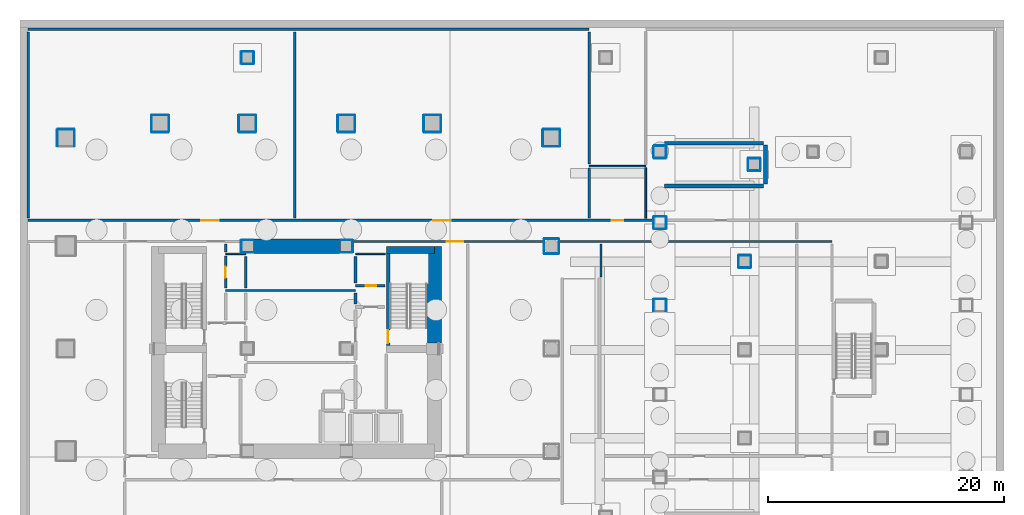
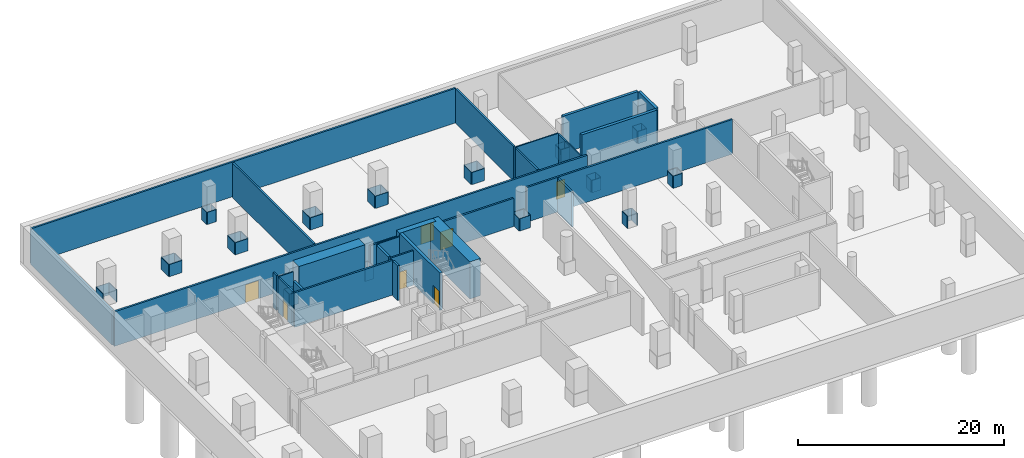
# One storey, part 7 of 13: 83 walls, 7 doors, 7 openings.
"""IFC4 building model written with IfcOpenShell, lengths in metres."""

from ifc_helpers import new_model, si_unit, direction, frame, frame_2d, origin, place, context, subcontext, project, spatial, rectangle, extrude, material, layer, layer_set, type_object, element, fill, save


model = new_model("IFC4")

# Units and contexts
model_context = context("Model", 3, precision=1e-05, world=origin(), true_north=direction((0.0, 1.0)))
body_context = subcontext(model_context, "Body", "Model", "MODEL_VIEW")
ifc_project = project(units=[si_unit("LENGTHUNIT", "METRE"), si_unit("AREAUNIT", "SQUARE_METRE"), si_unit("VOLUMEUNIT", "CUBIC_METRE"), si_unit("PLANEANGLEUNIT", "RADIAN"), si_unit("MASSUNIT", "GRAM", prefix="KILO")], contexts=[model_context])

# Site, building, storey
site_placement = place(None, origin())
site = spatial("IfcSite", under=ifc_project, at=site_placement, CompositionType="ELEMENT")
building_placement = place(site_placement, origin())
building = spatial("IfcBuilding", under=site, at=building_placement, Name="Solanera Arch Residences", CompositionType="ELEMENT")
storey_placement = place(building_placement, frame((0.0, 0.0, -13.199951171875)))
storey = spatial("IfcBuildingStorey", under=building, at=storey_placement, Name="B03", CompositionType="ELEMENT", Elevation=-13.199951171875)

# Walls
ifc_material_1 = material(Name="Fire-Rated Gypsum Stud Partition", Category="gypsum")
ifc_layer_1 = layer(ifc_material_1, 0.06005859375)
ifc_layer_set_1 = layer_set([ifc_layer_1], Name="Fire-Rated Gypsum Stud Partition")
wall_type_1 = type_object("IfcWallType", Name="Column Acoustic Furring Wall 60", PredefinedType="PARTITIONING", material=ifc_layer_set_1)
for number, where, z_axis, x_axis, name in (
    (1, (20.300048828125, 38.867919921875, 0.0), (0.0, 0.0, 1.0), (1.0, 0.0, 0.0), "B03 Column Furring 3S"),
    (2, (20.300048828125, 39.931884765625, 0.0), (0.0, 0.0, 1.0), (1.0, 0.0, 0.0), "B03 Column Furring 3N"),
):
    element("IfcWall", number, at=place(storey_placement, frame(where, z_axis=z_axis, x_axis=x_axis)), inside=storey, type_object=wall_type_1, Name=name, PredefinedType="PARTITIONING", context=body_context, shape_type="SweptSolid", body=[
        extrude(rectangle(XDim=0.989990234375, YDim=0.06005859375, at=frame_2d((0.4951171875, 0.0))), origin(), (0.0, 0.0, 1.0), 1.449951171875),
    ])
wall_1_placement = place(storey_placement, frame((20.26806640625, 38.89990234375, 0.0), z_axis=(0.0, 0.0, 1.0), x_axis=(0.0, 1.0, 0.0)))
element("IfcWall", 3, at=wall_1_placement, inside=storey, type_object=wall_type_1, Name="B03 Column Furring 3W", PredefinedType="PARTITIONING", context=body_context, shape_type="SweptSolid", body=[
    extrude(rectangle(XDim=1.0, YDim=0.06005859375, at=frame_2d((0.5, 0.0))), origin(), (0.0, 0.0, 1.0), 1.449951171875),
])
for number, where, z_axis, x_axis, name in (
    (4, (28.7099609375, 38.867919921875, 0.0), (0.0, 0.0, 1.0), (1.0, 0.0, 0.0), "B03 Column Furring 4S"),
    (5, (28.7099609375, 39.931884765625, 0.0), (0.0, 0.0, 1.0), (1.0, 0.0, 0.0), "B03 Column Furring 4N"),
):
    element("IfcWall", number, at=place(storey_placement, frame(where, z_axis=z_axis, x_axis=x_axis)), inside=storey, type_object=wall_type_1, Name=name, PredefinedType="PARTITIONING", context=body_context, shape_type="SweptSolid", body=[
        extrude(rectangle(XDim=0.989990234375, YDim=0.06005859375, at=frame_2d((0.4951171875, 0.0))), origin(), (0.0, 0.0, 1.0), 1.449951171875),
    ])
wall_2_placement = place(storey_placement, frame((29.73193359375, 38.89990234375, 0.0), z_axis=(0.0, 0.0, 1.0), x_axis=(0.0, 1.0, 0.0)))
element("IfcWall", 6, at=wall_2_placement, inside=storey, type_object=wall_type_1, Name="B03 Column Furring 4E", PredefinedType="PARTITIONING", context=body_context, shape_type="SweptSolid", body=[
    extrude(rectangle(XDim=1.0, YDim=0.06005859375, at=frame_2d((0.5, 0.0))), origin(), (0.0, 0.0, 1.0), 1.449951171875),
])
for number, where, z_axis, x_axis, name in (
    (7, (12.699951171875, 49.068115234375, 0.0), (0.0, 0.0, 1.0), (1.0, 0.0, 0.0), "B03 Column Furring 11S"),
    (8, (12.699951171875, 50.531982421875, 0.0), (0.0, 0.0, 1.0), (1.0, 0.0, 0.0), "B03 Column Furring 11N"),
):
    element("IfcWall", number, at=place(storey_placement, frame(where, z_axis=z_axis, x_axis=x_axis)), inside=storey, type_object=wall_type_1, Name=name, PredefinedType="PARTITIONING", context=body_context, shape_type="SweptSolid", body=[
        extrude(rectangle(XDim=1.400146484375, YDim=0.06005859375, at=frame_2d((0.7001953125, 0.0))), origin(), (0.0, 0.0, 1.0), 1.449951171875),
    ])
for number, where, z_axis, x_axis, name in (
    (9, (12.66796875, 49.10009765625, 0.0), (0.0, 0.0, 1.0), (0.0, 1.0, 0.0), "B03 Column Furring 11W"),
    (10, (14.132080078125, 49.10009765625, 0.0), (0.0, 0.0, 1.0), (0.0, 1.0, 0.0), "B03 Column Furring 11E"),
    (11, (20.10009765625, 49.068115234375, 0.0), (0.0, 0.0, 1.0), (1.0, 0.0, 0.0), "B03 Column Furring 12S"),
    (12, (20.10009765625, 50.531982421875, 0.0), (0.0, 0.0, 1.0), (1.0, 0.0, 0.0), "B03 Column Furring 12N"),
    (13, (20.068115234375, 49.10009765625, 0.0), (0.0, 0.0, 1.0), (0.0, 1.0, 0.0), "B03 Column Furring 12W"),
    (14, (21.531982421875, 49.10009765625, 0.0), (0.0, 0.0, 1.0), (0.0, 1.0, 0.0), "B03 Column Furring 12E"),
    (15, (28.5, 49.068115234375, 0.0), (0.0, 0.0, 1.0), (1.0, 0.0, 0.0), "B03 Column Furring 13S"),
    (16, (28.5, 50.531982421875, 0.0), (0.0, 0.0, 1.0), (1.0, 0.0, 0.0), "B03 Column Furring 13N"),
    (17, (28.468017578125, 49.10009765625, 0.0), (0.0, 0.0, 1.0), (0.0, 1.0, 0.0), "B03 Column Furring 13W"),
    (18, (29.931884765625, 49.10009765625, 0.0), (0.0, 0.0, 1.0), (0.0, 1.0, 0.0), "B03 Column Furring 13E"),
    (19, (35.800048828125, 49.068115234375, 0.0), (0.0, 0.0, 1.0), (1.0, 0.0, 0.0), "B03 Column Furring 14S"),
    (20, (35.800048828125, 50.531982421875, 0.0), (0.0, 0.0, 1.0), (1.0, 0.0, 0.0), "B03 Column Furring 14N"),
    (21, (35.76806640625, 49.10009765625, 0.0), (0.0, 0.0, 1.0), (0.0, 1.0, 0.0), "B03 Column Furring 14W"),
    (22, (37.23193359375, 49.10009765625, 0.0), (0.0, 0.0, 1.0), (0.0, 1.0, 0.0), "B03 Column Furring 14E"),
):
    element("IfcWall", number, at=place(storey_placement, frame(where, z_axis=z_axis, x_axis=x_axis)), inside=storey, type_object=wall_type_1, Name=name, PredefinedType="PARTITIONING", context=body_context, shape_type="SweptSolid", body=[
        extrude(rectangle(XDim=1.39990234375, YDim=0.06005859375, at=frame_2d((0.699951171875, 0.0))), origin(), (0.0, 0.0, 1.0), 1.449951171875),
    ])
for number, where, z_axis, x_axis, name in (
    (23, (46.0, 38.76806640625, 0.0), (0.0, 0.0, 1.0), (1.0, 0.0, 0.0), "B03 Column Furring 20S"),
    (24, (46.0, 40.031982421875, 0.0), (0.0, 0.0, 1.0), (1.0, 0.0, 0.0), "B03 Column Furring 20N"),
    (25, (45.968017578125, 38.800048828125, 0.0), (0.0, 0.0, 1.0), (0.0, 1.0, 0.0), "B03 Column Furring 20W"),
    (26, (47.23193359375, 38.800048828125, 0.0), (0.0, 0.0, 1.0), (0.0, 1.0, 0.0), "B03 Column Furring 20E"),
):
    element("IfcWall", number, at=place(storey_placement, frame(where, z_axis=z_axis, x_axis=x_axis)), inside=storey, type_object=wall_type_1, Name=name, PredefinedType="PARTITIONING", context=body_context, shape_type="SweptSolid", body=[
        extrude(rectangle(XDim=1.199951171875, YDim=0.06005859375, at=frame_2d((0.60009765625, 0.0))), origin(), (0.0, 0.0, 1.0), 1.449951171875),
    ])
for number, where, z_axis, x_axis, name in (
    (27, (4.699951171875, 49.33203125, 0.0), (0.0, 0.0, 1.0), (1.0, 0.0, 0.0), "B03 Column Furring 23N"),
    (28, (4.66796875, 47.89990234375, 0.0), (0.0, 0.0, 1.0), (0.0, 1.0, 0.0), "B03 Column Furring 23W"),
    (29, (6.132080078125, 47.89990234375, 0.0), (0.0, 0.0, 1.0), (0.0, 1.0, 0.0), "B03 Column Furring 23E"),
    (30, (45.89990234375, 47.867919921875, 0.0), (0.0, 0.0, 1.0), (1.0, 0.0, 0.0), "B03 Column Furring 24S"),
    (31, (45.89990234375, 49.33203125, 0.0), (0.0, 0.0, 1.0), (1.0, 0.0, 0.0), "B03 Column Furring 24N"),
    (32, (45.867919921875, 47.89990234375, 0.0), (0.0, 0.0, 1.0), (0.0, 1.0, 0.0), "B03 Column Furring 24W"),
    (33, (47.33203125, 47.89990234375, 0.0), (0.0, 0.0, 1.0), (0.0, 1.0, 0.0), "B03 Column Furring 24E"),
):
    element("IfcWall", number, at=place(storey_placement, frame(where, z_axis=z_axis, x_axis=x_axis)), inside=storey, type_object=wall_type_1, Name=name, PredefinedType="PARTITIONING", context=body_context, shape_type="SweptSolid", body=[
        extrude(rectangle(XDim=1.400146484375, YDim=0.06005859375, at=frame_2d((0.7001953125, 0.0))), origin(), (0.0, 0.0, 1.0), 1.449951171875),
    ])
for number, where, z_axis, x_axis, name in (
    (34, (62.5, 37.568115234375, 0.0), (0.0, 0.0, 1.0), (1.0, 0.0, 0.0), "B03 Column Furring 31S"),
    (35, (62.5, 38.632080078125, 0.0), (0.0, 0.0, 1.0), (1.0, 0.0, 0.0), "B03 Column Furring 31N"),
    (36, (62.468017578125, 37.60009765625, 0.0), (0.0, 0.0, 1.0), (0.0, 1.0, 0.0), "B03 Column Furring 31W"),
    (37, (63.531982421875, 37.60009765625, 0.0), (0.0, 0.0, 1.0), (0.0, 1.0, 0.0), "B03 Column Furring 31E"),
    (38, (20.300048828125, 54.867919921875, 0.0), (0.0, 0.0, 1.0), (1.0, 0.0, 0.0), "B03 Column Furring 38S"),
    (39, (20.300048828125, 55.931884765625, 0.0), (0.0, 0.0, 1.0), (1.0, 0.0, 0.0), "B03 Column Furring 38N"),
    (40, (20.26806640625, 54.89990234375, 0.0), (0.0, 0.0, 1.0), (0.0, 1.0, 0.0), "B03 Column Furring 38W"),
    (41, (21.33203125, 54.89990234375, 0.0), (0.0, 0.0, 1.0), (0.0, 1.0, 0.0), "B03 Column Furring 38E"),
    (42, (63.300048828125, 45.80810546875, 0.0), (0.0, 0.0, 1.0), (1.0, 0.0, 0.0), "B03 Column Furring 42S"),
    (43, (63.300048828125, 46.8720703125, 0.0), (0.0, 0.0, 1.0), (1.0, 0.0, 0.0), "B03 Column Furring 42N"),
    (44, (63.26806640625, 45.840087890625, 0.0), (0.0, 0.0, 1.0), (0.0, 1.0, 0.0), "B03 Column Furring 42W"),
    (45, (64.33203125, 45.840087890625, 0.0), (0.0, 0.0, 1.0), (0.0, 1.0, 0.0), "B03 Column Furring 42E"),
    (46, (55.300048828125, 34.931884765625, 0.0), (0.0, 0.0, 1.0), (1.0, 0.0, 0.0), "B03 Column Furring 46N"),
    (47, (55.26806640625, 33.89990234375, 0.0), (0.0, 0.0, 1.0), (0.0, 1.0, 0.0), "B03 Column Furring 46W"),
    (48, (56.33203125, 33.89990234375, 0.0), (0.0, 0.0, 1.0), (0.0, 1.0, 0.0), "B03 Column Furring 46E"),
    (49, (55.300048828125, 40.867919921875, 0.0), (0.0, 0.0, 1.0), (1.0, 0.0, 0.0), "B03 Column Furring 47S"),
    (50, (55.300048828125, 41.931884765625, 0.0), (0.0, 0.0, 1.0), (1.0, 0.0, 0.0), "B03 Column Furring 47N"),
    (51, (55.26806640625, 40.89990234375, 0.0), (0.0, 0.0, 1.0), (0.0, 1.0, 0.0), "B03 Column Furring 47W"),
    (52, (56.33203125, 40.89990234375, 0.0), (0.0, 0.0, 1.0), (0.0, 1.0, 0.0), "B03 Column Furring 47E"),
    (53, (55.300048828125, 46.867919921875, 0.0), (0.0, 0.0, 1.0), (1.0, 0.0, 0.0), "B03 Column Furring 48S"),
    (54, (55.300048828125, 47.931884765625, 0.0), (0.0, 0.0, 1.0), (1.0, 0.0, 0.0), "B03 Column Furring 48N"),
    (55, (55.26806640625, 46.89990234375, 0.0), (0.0, 0.0, 1.0), (0.0, 1.0, 0.0), "B03 Column Furring 48W"),
    (56, (56.33203125, 46.89990234375, 0.0), (0.0, 0.0, 1.0), (0.0, 1.0, 0.0), "B03 Column Furring 48E"),
):
    element("IfcWall", number, at=place(storey_placement, frame(where, z_axis=z_axis, x_axis=x_axis)), inside=storey, type_object=wall_type_1, Name=name, PredefinedType="PARTITIONING", context=body_context, shape_type="SweptSolid", body=[
        extrude(rectangle(XDim=1.0, YDim=0.06005859375, at=frame_2d((0.5, 0.0))), origin(), (0.0, 0.0, 1.0), 1.449951171875),
    ])
ifc_material_2 = material(Name="Concrete C55/67 (f'c = 60 MPa)", Category="concrete")
ifc_layer_2 = layer(ifc_material_2, 1.199951171875)
ifc_layer_set_2 = layer_set([ifc_layer_2], Name="Concrete C55/67 (f'c = 60 MPa)")
wall_type_2 = type_object("IfcWallType", Name="Core Shear Wall CW-1200", PredefinedType="SHEAR", material=ifc_layer_set_2)
wall_3_placement = place(storey_placement, frame((36.659912109375, 31.205078125, 0.0), z_axis=(0.0, 0.0, 1.0), x_axis=(0.0, 1.0, 0.0)))
element("IfcWall", 57, at=wall_3_placement, inside=storey, type_object=wall_type_2, Name="B03 East Core North Shear Wall", PredefinedType="SHEAR", context=body_context, shape_type="SweptSolid", body=[
    extrude(rectangle(XDim=8.19482421875, YDim=1.199951171875, at=frame_2d((4.097412109375, 0.0))), origin(), (0.0, 0.0, 1.0), 4.39990234375),
])
wall_4_placement = place(storey_placement, frame((21.304931640625, 39.39990234375, 0.0), z_axis=(0.0, 0.0, 1.0), x_axis=(1.0, 0.0, 0.0)))
element("IfcWall", 58, at=wall_4_placement, inside=storey, type_object=wall_type_2, Name="B03 Central North Core Shear Wall", PredefinedType="SHEAR", context=body_context, shape_type="SweptSolid", body=[
    extrude(rectangle(XDim=7.39013671875, YDim=1.199951171875, at=frame_2d((3.695068359375, 0.0))), origin(), (0.0, 0.0, 1.0), 4.39990234375),
])

# Wall, opening, door
ifc_material_3 = material(Name="Concrete C40/50 (f'c = 45 MPa)", Category="concrete")
ifc_layer_3 = layer(ifc_material_3, 0.320068359375)
ifc_layer_set_3 = layer_set([ifc_layer_3], Name="Concrete C40/50 (f'c = 45 MPa)")
wall_type_3 = type_object("IfcWallType", Name="Core Shear Wall CW-320", PredefinedType="SHEAR", material=ifc_layer_set_3)
wall_5_placement = place(storey_placement, frame((32.739990234375, 31.0, 0.0), z_axis=(0.0, 0.0, 1.0), x_axis=(0.0, 1.0, 0.0)))
wall_5 = element("IfcWall", 59, at=wall_5_placement, inside=storey, type_object=wall_type_3, Name="B03 Stair ST-T2 West Shear Wall", PredefinedType="SHEAR", context=body_context, shape_type="SweptSolid", body=[
    extrude(rectangle(XDim=7.800048828125, YDim=0.320068359375, at=frame_2d((3.89990234375, 0.0))), origin(), (0.0, 0.0, 1.0), 4.39990234375),
])
opening_1_placement = place(wall_5_placement, frame((0.18994140625, 0.0, 0.0)))
opening_1 = element("IfcOpeningElement", 60, at=opening_1_placement, cuts=wall_5, Name="Opening DF-01", PredefinedType="OPENING", context=body_context, shape_type="SweptSolid", body=[
    extrude(rectangle(XDim=1.10009765625, YDim=2.14990234375, at=frame_2d((0.550048828125, 1.074951171875))), frame((0.0, 0.169921875, 0.0), z_axis=(0.0, -1.0, 0.0), x_axis=(1.0, 0.0, 0.0)), (0.0, 0.0, 1.0), 0.3401),
])
ifc_material_4 = material(Name="Fire-Rated Architectural Hardwood", Category="wood")
door_type_1 = type_object("IfcDoorType", Name="Stair Exit Fire Door DF-01", OperationType="NOTDEFINED", PredefinedType="DOOR", material=ifc_material_4)
door_1_placement = place(opening_1_placement, origin())
door_1 = element("IfcDoor", 61, at=door_1_placement, inside=storey, type_object=door_type_1, Name="DR-B03-STAIR-ST-T2", OperationType="SINGLE_SWING_LEFT", OverallHeight=2.14990234375, OverallWidth=1.10009765625, PredefinedType="DOOR", context=body_context, shape_type="SweptSolid", body=[
    extrude(rectangle(XDim=1.10009765625, YDim=2.14990234375, at=frame_2d((0.550048828125, 1.074951171875))), frame((0.0, 0.02490234375, 0.0), z_axis=(0.0, -1.0, 0.0), x_axis=(1.0, 0.0, 0.0)), (0.0, 0.0, 1.0), 0.050048828125),
])
fill(opening_1, door_1)

# Walls
wall_6_placement = place(storey_placement, frame((64.760009765625, 44.679931640625, 0.0), z_axis=(0.0, 0.0, 1.0), x_axis=(0.0, 1.0, 0.0)))
element("IfcWall", 62, at=wall_6_placement, inside=storey, type_object=wall_type_3, Name="B03 Stair ST-H2 East Shear Wall", PredefinedType="SHEAR", context=body_context, shape_type="SweptSolid", body=[
    extrude(rectangle(XDim=3.320068359375, YDim=0.320068359375, at=frame_2d((1.66015625, 0.0))), origin(), (0.0, 0.0, 1.0), 4.39990234375),
])
wall_7_placement = place(storey_placement, frame((56.199951171875, 48.139892578125, 0.0), z_axis=(0.0, 0.0, 1.0), x_axis=(1.0, 0.0, 0.0)))
element("IfcWall", 63, at=wall_7_placement, inside=storey, type_object=wall_type_3, Name="B03 Stair ST-H2 North Shear Wall", PredefinedType="SHEAR", context=body_context, shape_type="SweptSolid", body=[
    extrude(rectangle(XDim=8.400146484375, YDim=0.280029296875, at=frame_2d((4.2001953125, 0.0))), origin(), (0.0, 0.0, 1.0), 4.39990234375),
])
wall_8_placement = place(storey_placement, frame((56.199951171875, 44.52001953125, 0.0), z_axis=(0.0, 0.0, 1.0), x_axis=(1.0, 0.0, 0.0)))
element("IfcWall", 64, at=wall_8_placement, inside=storey, type_object=wall_type_3, Name="B03 Stair ST-H2 South Shear Wall", PredefinedType="SHEAR", context=body_context, shape_type="SweptSolid", body=[
    extrude(rectangle(XDim=8.400146484375, YDim=0.320068359375, at=frame_2d((4.2001953125, 0.0))), origin(), (0.0, 0.0, 1.0), 4.39990234375),
])
ifc_material_5 = material(Name="Concrete C40/50 (f'c = 45 MPa)", Category="concrete")
ifc_layer_4 = layer(ifc_material_5, 0.60009765625)
ifc_layer_set_4 = layer_set([ifc_layer_4], Name="Concrete C40/50 (f'c = 45 MPa)")
wall_type_4 = type_object("IfcWallType", Name="Core Shear Wall CW-600", PredefinedType="SHEAR", material=ifc_layer_set_4)
wall_9_placement = place(storey_placement, frame((32.580078125, 39.10009765625, 0.0), z_axis=(0.0, 0.0, 1.0), x_axis=(1.0, 0.0, 0.0)))
element("IfcWall", 65, at=wall_9_placement, inside=storey, type_object=wall_type_4, Name="B03 North-East Core Shear Wall", PredefinedType="SHEAR", context=body_context, shape_type="SweptSolid", body=[
    extrude(rectangle(XDim=4.079833984375, YDim=0.60009765625, at=frame_2d((2.0400390625, 0.0))), origin(), (0.0, 0.0, 1.0), 4.39990234375),
])

# Wall, opening, door
ifc_material_6 = material(Name="Autoclaved Aerated Concrete Blockwork", Category="masonry")
ifc_layer_5 = layer(ifc_material_6, 0.179931640625)
ifc_layer_set_5 = layer_set([ifc_layer_5], Name="Autoclaved Aerated Concrete Blockwork")
wall_type_5 = type_object("IfcWallType", Name="Corridor Fire Partition 180", PredefinedType="PARTITIONING", material=ifc_layer_set_5)
wall_10_placement = place(storey_placement, frame((29.97509765625, 36.050048828125, 0.0), z_axis=(0.0, 0.0, 1.0), x_axis=(1.0, 0.0, 0.0)))
wall_10 = element("IfcWall", 66, at=wall_10_placement, inside=storey, type_object=wall_type_5, Name="B03 Interior Partition H17", PredefinedType="PARTITIONING", context=body_context, shape_type="SweptSolid", body=[
    extrude(rectangle(XDim=2.5048828125, YDim=0.179931640625, at=frame_2d((1.25244140625, 0.0))), origin(), (0.0, 0.0, 1.0), 4.099853515625),
])
opening_2_placement = place(wall_10_placement, frame((0.85205078125, 0.0, 0.0)))
opening_2 = element("IfcOpeningElement", 67, at=opening_2_placement, cuts=wall_10, Name="Opening DI-02", PredefinedType="OPENING", context=body_context, shape_type="SweptSolid", body=[
    extrude(rectangle(XDim=0.89990234375, YDim=2.10009765625, at=frame_2d((0.449951171875, 1.050048828125))), frame((0.0, 0.10009765625, 0.0), z_axis=(0.0, -1.0, 0.0), x_axis=(1.0, 0.0, 0.0)), (0.0, 0.0, 1.0), 0.1999),
])
ifc_material_7 = material(Name="Fire-Rated Architectural Hardwood", Category="wood")
door_type_2 = type_object("IfcDoorType", Name="Suite Room Swing Door DI-02", OperationType="NOTDEFINED", PredefinedType="DOOR", material=ifc_material_7)
door_2_placement = place(opening_2_placement, origin())
door_2 = element("IfcDoor", 68, at=door_2_placement, inside=storey, type_object=door_type_2, Name="DR-B03-IN-017", OperationType="SINGLE_SWING_RIGHT", OverallHeight=2.10009765625, OverallWidth=0.89990234375, PredefinedType="DOOR", context=body_context, shape_type="SweptSolid", body=[
    extrude(rectangle(XDim=0.89990234375, YDim=2.10009765625, at=frame_2d((0.449951171875, 1.050048828125))), frame((0.0, 0.02490234375, 0.0), z_axis=(0.0, -1.0, 0.0), x_axis=(1.0, 0.0, 0.0)), (0.0, 0.0, 1.0), 0.050048828125),
])
fill(opening_2, door_2)

# Wall
ifc_material_8 = material(Name="Autoclaved Aerated Concrete Blockwork", Category="masonry")
ifc_layer_6 = layer(ifc_material_8, 0.199951171875)
ifc_layer_set_6 = layer_set([ifc_layer_6], Name="Autoclaved Aerated Concrete Blockwork")
wall_type_6 = type_object("IfcWallType", Name="Party Wall Acoustic 200", PredefinedType="PARTITIONING", material=ifc_layer_set_6)
wall_11_placement = place(storey_placement, frame((18.949951171875, 35.64990234375, 0.0), z_axis=(0.0, 0.0, 1.0), x_axis=(1.0, 0.0, 0.0)))
element("IfcWall", 69, at=wall_11_placement, inside=storey, type_object=wall_type_6, Name="B03 Interior Partition H11", PredefinedType="PARTITIONING", context=body_context, shape_type="SweptSolid", body=[
    extrude(rectangle(XDim=11.025146484375, YDim=0.199951171875, at=frame_2d((5.5126953125, 0.0))), origin(), (0.0, 0.0, 1.0), 4.099853515625),
])

# Wall, opening, door
wall_12_placement = place(storey_placement, frame((29.81201171875, 39.800048828125, 0.0), z_axis=(0.0, 0.0, 1.0), x_axis=(1.0, 0.0, 0.0)))
wall_12 = element("IfcWall", 70, at=wall_12_placement, inside=storey, type_object=wall_type_6, Name="B03 Interior Partition H12 3", PredefinedType="PARTITIONING", context=body_context, shape_type="SweptSolid", body=[
    extrude(rectangle(XDim=16.075927734375, YDim=0.199951171875, at=frame_2d((8.0380859375, 0.0))), origin(), (0.0, 0.0, 1.0), 3.3349609375),
])
opening_3_placement = place(wall_12_placement, frame((7.887939453125, 0.0, 0.0)))
opening_3 = element("IfcOpeningElement", 71, at=opening_3_placement, cuts=wall_12, Name="Opening DF-03", PredefinedType="OPENING", context=body_context, shape_type="SweptSolid", body=[
    extrude(rectangle(XDim=1.39990234375, YDim=2.14990234375, at=frame_2d((0.699951171875, 1.074951171875))), frame((0.0, 0.110107421875, 0.0), z_axis=(0.0, -1.0, 0.0), x_axis=(1.0, 0.0, 0.0)), (0.0, 0.0, 1.0), 0.22),
])
ifc_material_9 = material(Name="Fire-Rated Architectural Hardwood", Category="wood")
door_type_3 = type_object("IfcDoorType", Name="Corridor Smoke Door DF-03", OperationType="NOTDEFINED", PredefinedType="DOOR", material=ifc_material_9)
door_3_placement = place(opening_3_placement, origin())
door_3 = element("IfcDoor", 72, at=door_3_placement, inside=storey, type_object=door_type_3, Name="DR-B03-IN-015", OperationType="SINGLE_SWING_RIGHT", OverallHeight=2.14990234375, OverallWidth=1.39990234375, PredefinedType="DOOR", context=body_context, shape_type="SweptSolid", body=[
    extrude(rectangle(XDim=1.39990234375, YDim=2.14990234375, at=frame_2d((0.699951171875, 1.074951171875))), frame((0.0, 0.02490234375, 0.0), z_axis=(0.0, -1.0, 0.0), x_axis=(1.0, 0.0, 0.0)), (0.0, 0.0, 1.0), 0.050048828125),
])
fill(opening_3, door_3)

# Wall
wall_13_placement = place(storey_placement, frame((47.31201171875, 39.800048828125, 0.0), z_axis=(0.0, 0.0, 1.0), x_axis=(1.0, 0.0, 0.0)))
element("IfcWall", 73, at=wall_13_placement, inside=storey, type_object=wall_type_6, Name="B03 Interior Partition H12 4", PredefinedType="PARTITIONING", context=body_context, shape_type="SweptSolid", body=[
    extrude(rectangle(XDim=23.087890625, YDim=0.199951171875, at=frame_2d((11.5439453125, 0.0))), origin(), (0.0, 0.0, 1.0), 4.099853515625),
])

# Wall, openings, doors
wall_14_placement = place(storey_placement, frame((2.199951171875, 41.60009765625, 0.0), z_axis=(0.0, 0.0, 1.0), x_axis=(1.0, 0.0, 0.0)))
wall_14 = element("IfcWall", 74, at=wall_14_placement, inside=storey, type_object=wall_type_6, Name="B03 Interior Partition H13 1", PredefinedType="PARTITIONING", context=body_context, shape_type="SweptSolid", body=[
    extrude(rectangle(XDim=52.988037109375, YDim=0.199951171875, at=frame_2d((26.494140625, 0.0))), origin(), (0.0, 0.0, 1.0), 4.099853515625),
])
opening_4_placement = place(wall_14_placement, frame((14.659912109375, 0.0, 0.0)))
opening_4 = element("IfcOpeningElement", 75, at=opening_4_placement, cuts=wall_14, Name="Opening DP-01", PredefinedType="OPENING", context=body_context, shape_type="SweptSolid", body=[
    extrude(rectangle(XDim=1.5, YDim=2.14990234375, at=frame_2d((0.75, 1.074951171875))), frame((0.0, 0.110107421875, 0.0), z_axis=(0.0, -1.0, 0.0), x_axis=(1.0, 0.0, 0.0)), (0.0, 0.0, 1.0), 0.22),
])
opening_5_placement = place(wall_14_placement, frame((34.35009765625, 0.0, 0.0)))
opening_5 = element("IfcOpeningElement", 76, at=opening_5_placement, cuts=wall_14, Name="Opening DP-01", PredefinedType="OPENING", context=body_context, shape_type="SweptSolid", body=[
    extrude(rectangle(XDim=1.5, YDim=2.14990234375, at=frame_2d((0.75, 1.074951171875))), frame((0.0, 0.110107421875, 0.0), z_axis=(0.0, -1.0, 0.0), x_axis=(1.0, 0.0, 0.0)), (0.0, 0.0, 1.0), 0.22),
])
opening_6_placement = place(wall_14_placement, frame((49.52490234375, 0.0, 0.0)))
opening_6 = element("IfcOpeningElement", 77, at=opening_6_placement, cuts=wall_14, Name="Opening DI-04", PredefinedType="OPENING", context=body_context, shape_type="SweptSolid", body=[
    extrude(rectangle(XDim=0.949951171875, YDim=2.10009765625, at=frame_2d((0.47509765625, 1.050048828125))), frame((0.0, 0.110107421875, 0.0), z_axis=(0.0, -1.0, 0.0), x_axis=(1.0, 0.0, 0.0)), (0.0, 0.0, 1.0), 0.22),
])
ifc_material_10 = material(Name="Fire-Rated Architectural Hardwood", Category="wood")
door_type_4 = type_object("IfcDoorType", Name="Accessible Restroom Door DI-04", OperationType="NOTDEFINED", PredefinedType="DOOR", material=ifc_material_10)
door_4_placement = place(opening_6_placement, origin())
door_4 = element("IfcDoor", 78, at=door_4_placement, inside=storey, type_object=door_type_4, Name="DR-B03-IN-025", OperationType="SINGLE_SWING_RIGHT", OverallHeight=2.10009765625, OverallWidth=0.949951171875, PredefinedType="DOOR", context=body_context, shape_type="SweptSolid", body=[
    extrude(rectangle(XDim=0.949951171875, YDim=2.10009765625, at=frame_2d((0.47509765625, 1.050048828125))), frame((0.0, 0.02490234375, 0.0), z_axis=(0.0, -1.0, 0.0), x_axis=(1.0, 0.0, 0.0)), (0.0, 0.0, 1.0), 0.050048828125),
])
fill(opening_6, door_4)
ifc_material_11 = material(Name="Fire-Rated Architectural Hardwood", Category="wood")
door_type_5 = type_object("IfcDoorType", Name="Plant Double Fire Door DP-01", OperationType="NOTDEFINED", PredefinedType="DOOR", material=ifc_material_11)
door_5_placement = place(opening_4_placement, origin())
door_5 = element("IfcDoor", 79, at=door_5_placement, inside=storey, type_object=door_type_5, Name="DR-B03-IN-020", OperationType="SINGLE_SWING_LEFT", OverallHeight=2.14990234375, OverallWidth=1.5, PredefinedType="DOOR", context=body_context, shape_type="SweptSolid", body=[
    extrude(rectangle(XDim=1.5, YDim=2.14990234375, at=frame_2d((0.75, 1.074951171875))), frame((0.0, 0.02490234375, 0.0), z_axis=(0.0, -1.0, 0.0), x_axis=(1.0, 0.0, 0.0)), (0.0, 0.0, 1.0), 0.050048828125),
])
fill(opening_4, door_5)
door_6_placement = place(opening_5_placement, origin())
door_6 = element("IfcDoor", 80, at=door_6_placement, inside=storey, type_object=door_type_5, Name="DR-B03-IN-021", OperationType="SINGLE_SWING_RIGHT", OverallHeight=2.14990234375, OverallWidth=1.5, PredefinedType="DOOR", context=body_context, shape_type="SweptSolid", body=[
    extrude(rectangle(XDim=1.5, YDim=2.14990234375, at=frame_2d((0.75, 1.074951171875))), frame((0.0, 0.02490234375, 0.0), z_axis=(0.0, -1.0, 0.0), x_axis=(1.0, 0.0, 0.0)), (0.0, 0.0, 1.0), 0.050048828125),
])
fill(opening_5, door_6)

# Walls
wall_15_placement = place(storey_placement, frame((2.199951171875, 57.800048828125, 0.0), z_axis=(0.0, 0.0, 1.0), x_axis=(1.0, 0.0, 0.0)))
element("IfcWall", 81, at=wall_15_placement, inside=storey, type_object=wall_type_6, Name="B03 Interior Partition H14", PredefinedType="PARTITIONING", context=body_context, shape_type="SweptSolid", body=[
    extrude(rectangle(XDim=47.60009765625, YDim=0.199951171875, at=frame_2d((23.800048828125, 0.0))), origin(), (0.0, 0.0, 1.0), 4.099853515625),
])
wall_16_placement = place(storey_placement, frame((2.199951171875, 41.80810546875, 0.0), z_axis=(0.0, 0.0, 1.0), x_axis=(0.0, 1.0, 0.0)))
element("IfcWall", 82, at=wall_16_placement, inside=storey, type_object=wall_type_6, Name="B03 Interior Partition V7", PredefinedType="PARTITIONING", context=body_context, shape_type="SweptSolid", body=[
    extrude(rectangle(XDim=15.783935546875, YDim=0.199951171875, at=frame_2d((7.89208984375, 0.0))), origin(), (0.0, 0.0, 1.0), 4.099853515625),
])

# Wall, opening, door
wall_17_placement = place(storey_placement, frame((18.949951171875, 35.85791015625, 0.0), z_axis=(0.0, 0.0, 1.0), x_axis=(0.0, 1.0, 0.0)))
wall_17 = element("IfcWall", 83, at=wall_17_placement, inside=storey, type_object=wall_type_6, Name="B03 Interior Partition V9 2", PredefinedType="PARTITIONING", context=body_context, shape_type="SweptSolid", body=[
    extrude(rectangle(XDim=2.714111328125, YDim=0.199951171875, at=frame_2d((1.35693359375, 0.0))), origin(), (0.0, 0.0, 1.0), 4.099853515625),
])
opening_7_placement = place(wall_17_placement, frame((0.866943359375, 0.0, 0.0)))
opening_7 = element("IfcOpeningElement", 84, at=opening_7_placement, cuts=wall_17, Name="Opening DI-04", PredefinedType="OPENING", context=body_context, shape_type="SweptSolid", body=[
    extrude(rectangle(XDim=0.949951171875, YDim=2.10009765625, at=frame_2d((0.47509765625, 1.050048828125))), frame((0.0, 0.110107421875, 0.0), z_axis=(0.0, -1.0, 0.0), x_axis=(1.0, 0.0, 0.0)), (0.0, 0.0, 1.0), 0.22),
])
door_7_placement = place(opening_7_placement, origin())
door_7 = element("IfcDoor", 85, at=door_7_placement, inside=storey, type_object=door_type_4, Name="DR-B03-IN-018", OperationType="SINGLE_SWING_LEFT", OverallHeight=2.10009765625, OverallWidth=0.949951171875, PredefinedType="DOOR", context=body_context, shape_type="SweptSolid", body=[
    extrude(rectangle(XDim=0.949951171875, YDim=2.10009765625, at=frame_2d((0.47509765625, 1.050048828125))), frame((0.0, 0.02490234375, 0.0), z_axis=(0.0, -1.0, 0.0), x_axis=(1.0, 0.0, 0.0)), (0.0, 0.0, 1.0), 0.050048828125),
])
fill(opening_7, door_7)

# Walls
wall_18_placement = place(storey_placement, frame((18.949951171875, 38.927978515625, 0.0), z_axis=(0.0, 0.0, 1.0), x_axis=(0.0, 1.0, 0.0)))
element("IfcWall", 86, at=wall_18_placement, inside=storey, type_object=wall_type_6, Name="B03 Interior Partition V9 3", PredefinedType="PARTITIONING", context=body_context, shape_type="SweptSolid", body=[
    extrude(rectangle(XDim=0.6640625, YDim=0.199951171875, at=frame_2d((0.33203125, 0.0))), origin(), (0.0, 0.0, 1.0), 4.099853515625),
])
wall_19_placement = place(storey_placement, frame((24.800048828125, 41.80810546875, 0.0), z_axis=(0.0, 0.0, 1.0), x_axis=(0.0, 1.0, 0.0)))
element("IfcWall", 87, at=wall_19_placement, inside=storey, type_object=wall_type_6, Name="B03 Interior Partition V10", PredefinedType="PARTITIONING", context=body_context, shape_type="SweptSolid", body=[
    extrude(rectangle(XDim=15.783935546875, YDim=0.199951171875, at=frame_2d((7.89208984375, 0.0))), origin(), (0.0, 0.0, 1.0), 4.099853515625),
])
wall_20_placement = place(storey_placement, frame((49.800048828125, 41.80810546875, 0.0), z_axis=(0.0, 0.0, 1.0), x_axis=(0.0, 1.0, 0.0)))
element("IfcWall", 88, at=wall_20_placement, inside=storey, type_object=wall_type_6, Name="B03 Interior Partition V13 1", PredefinedType="PARTITIONING", context=body_context, shape_type="SweptSolid", body=[
    extrude(rectangle(XDim=4.2138671875, YDim=0.199951171875, at=frame_2d((2.10693359375, 0.0))), origin(), (0.0, 0.0, 1.0), 4.099853515625),
])
wall_21_placement = place(storey_placement, frame((49.800048828125, 46.3779296875, 0.0), z_axis=(0.0, 0.0, 1.0), x_axis=(0.0, 1.0, 0.0)))
element("IfcWall", 89, at=wall_21_placement, inside=storey, type_object=wall_type_6, Name="B03 Interior Partition V13 2", PredefinedType="PARTITIONING", context=body_context, shape_type="SweptSolid", body=[
    extrude(rectangle(XDim=11.214111328125, YDim=0.199951171875, at=frame_2d((5.60693359375, 0.0))), origin(), (0.0, 0.0, 1.0), 4.099853515625),
])
wall_22_placement = place(storey_placement, frame((50.800048828125, 36.80810546875, 0.0), z_axis=(0.0, 0.0, 1.0), x_axis=(0.0, 1.0, 0.0)))
element("IfcWall", 90, at=wall_22_placement, inside=storey, type_object=wall_type_6, Name="B03 Interior Partition V14 5", PredefinedType="PARTITIONING", context=body_context, shape_type="SweptSolid", body=[
    extrude(rectangle(XDim=2.783935546875, YDim=0.199951171875, at=frame_2d((1.39208984375, 0.0))), origin(), (0.0, 0.0, 1.0), 4.099853515625),
])
ifc_material_12 = material(Name="Autoclaved Aerated Concrete Blockwork", Category="masonry")
ifc_layer_7 = layer(ifc_material_12, 0.239990234375)
ifc_layer_set_7 = layer_set([ifc_layer_7], Name="Autoclaved Aerated Concrete Blockwork")
wall_type_7 = type_object("IfcWallType", Name="Shaft Wall Fire-Rated 240", PredefinedType="PARTITIONING", material=ifc_layer_set_7)
wall_23_placement = place(storey_placement, frame((20.64990234375, 35.8779296875, 0.0), z_axis=(0.0, 0.0, 1.0), x_axis=(0.0, 1.0, 0.0)))
element("IfcWall", 91, at=wall_23_placement, inside=storey, type_object=wall_type_7, Name="B03 Interior Partition V3 5", PredefinedType="PARTITIONING", context=body_context, shape_type="SweptSolid", body=[
    extrude(rectangle(XDim=2.674072265625, YDim=0.239990234375, at=frame_2d((1.3369140625, 0.0))), origin(), (0.0, 0.0, 1.0), 3.135009765625),
])
wall_24_placement = place(storey_placement, frame((29.97509765625, 34.498046875, 0.0), z_axis=(0.0, 0.0, 1.0), x_axis=(0.0, 1.0, 0.0)))
element("IfcWall", 92, at=wall_24_placement, inside=storey, type_object=wall_type_7, Name="B03 Interior Partition V4 3", PredefinedType="PARTITIONING", context=body_context, shape_type="SweptSolid", body=[
    extrude(rectangle(XDim=0.924072265625, YDim=0.239990234375, at=frame_2d((0.4619140625, 0.0))), origin(), (0.0, 0.0, 1.0), 4.099853515625),
])
wall_25_placement = place(storey_placement, frame((29.97509765625, 36.26806640625, 0.0), z_axis=(0.0, 0.0, 1.0), x_axis=(0.0, 1.0, 0.0)))
element("IfcWall", 93, at=wall_25_placement, inside=storey, type_object=wall_type_7, Name="B03 Interior Partition V4 4", PredefinedType="PARTITIONING", context=body_context, shape_type="SweptSolid", body=[
    extrude(rectangle(XDim=2.283935546875, YDim=0.239990234375, at=frame_2d((1.14208984375, 0.0))), origin(), (0.0, 0.0, 1.0), 4.099853515625),
])
ifc_material_13 = material(Name="Autoclaved Aerated Concrete Blockwork", Category="masonry")
ifc_layer_8 = layer(ifc_material_13, 0.139892578125)
ifc_layer_set_8 = layer_set([ifc_layer_8], Name="Autoclaved Aerated Concrete Blockwork")
wall_type_8 = type_object("IfcWallType", Name="Wet-Room Partition 140", PredefinedType="PARTITIONING", material=ifc_layer_set_8)
wall_26_placement = place(storey_placement, frame((18.949951171875, 38.75, 0.0), z_axis=(0.0, 0.0, 1.0), x_axis=(1.0, 0.0, 0.0)))
element("IfcWall", 94, at=wall_26_placement, inside=storey, type_object=wall_type_8, Name="B03 Interior Partition H18", PredefinedType="PARTITIONING", context=body_context, shape_type="SweptSolid", body=[
    extrude(rectangle(XDim=1.699951171875, YDim=0.139892578125, at=frame_2d((0.85009765625, 0.0))), origin(), (0.0, 0.0, 1.0), 4.099853515625),
])
wall_27_placement = place(storey_placement, frame((29.97509765625, 38.75, 0.0), z_axis=(0.0, 0.0, 1.0), x_axis=(1.0, 0.0, 0.0)))
element("IfcWall", 95, at=wall_27_placement, inside=storey, type_object=wall_type_8, Name="B03 Interior Partition H19", PredefinedType="PARTITIONING", context=body_context, shape_type="SweptSolid", body=[
    extrude(rectangle(XDim=2.52490234375, YDim=0.139892578125, at=frame_2d((1.262451171875, 0.0))), origin(), (0.0, 0.0, 1.0), 4.099853515625),
])
wall_28_placement = place(storey_placement, frame((49.800048828125, 46.199951171875, 0.0), z_axis=(0.0, 0.0, 1.0), x_axis=(1.0, 0.0, 0.0)))
element("IfcWall", 96, at=wall_28_placement, inside=storey, type_object=wall_type_8, Name="B03 Interior Partition H20", PredefinedType="PARTITIONING", context=body_context, shape_type="SweptSolid", body=[
    extrude(rectangle(XDim=4.800048828125, YDim=0.139892578125, at=frame_2d((2.39990234375, 0.0))), origin(), (0.0, 0.0, 1.0), 4.099853515625),
])
wall_29_placement = place(storey_placement, frame((54.60009765625, 41.778076171875, 0.0), z_axis=(0.0, 0.0, 1.0), x_axis=(0.0, 1.0, 0.0)))
element("IfcWall", 97, at=wall_29_placement, inside=storey, type_object=wall_type_8, Name="B03 Interior Partition V21 1", PredefinedType="PARTITIONING", context=body_context, shape_type="SweptSolid", body=[
    extrude(rectangle(XDim=4.27392578125, YDim=0.139892578125, at=frame_2d((2.136962890625, 0.0))), origin(), (0.0, 0.0, 1.0), 4.099853515625),
])

save(model, "model.ifc")
